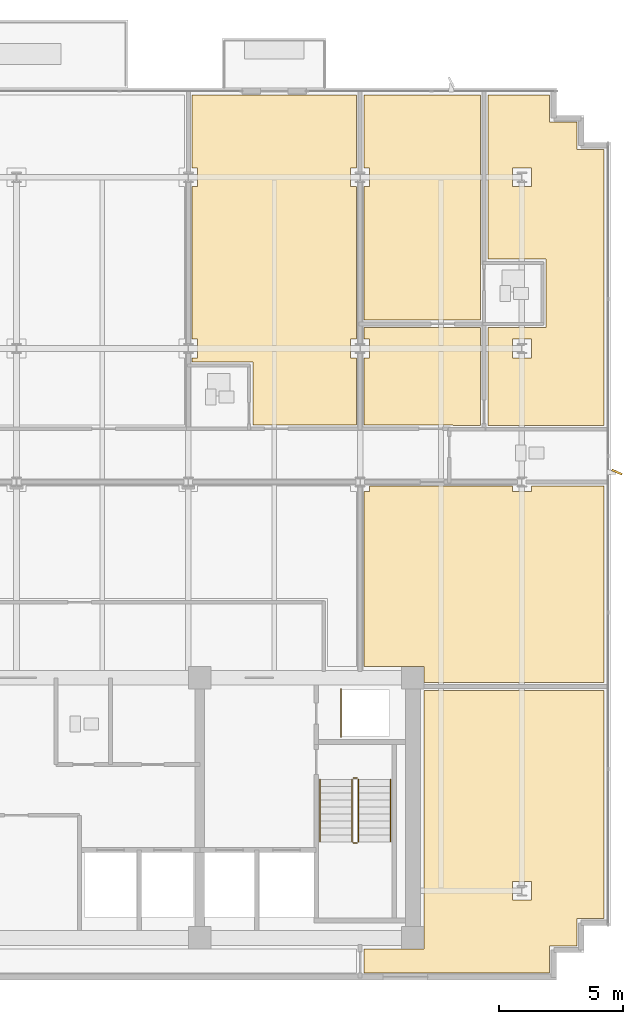
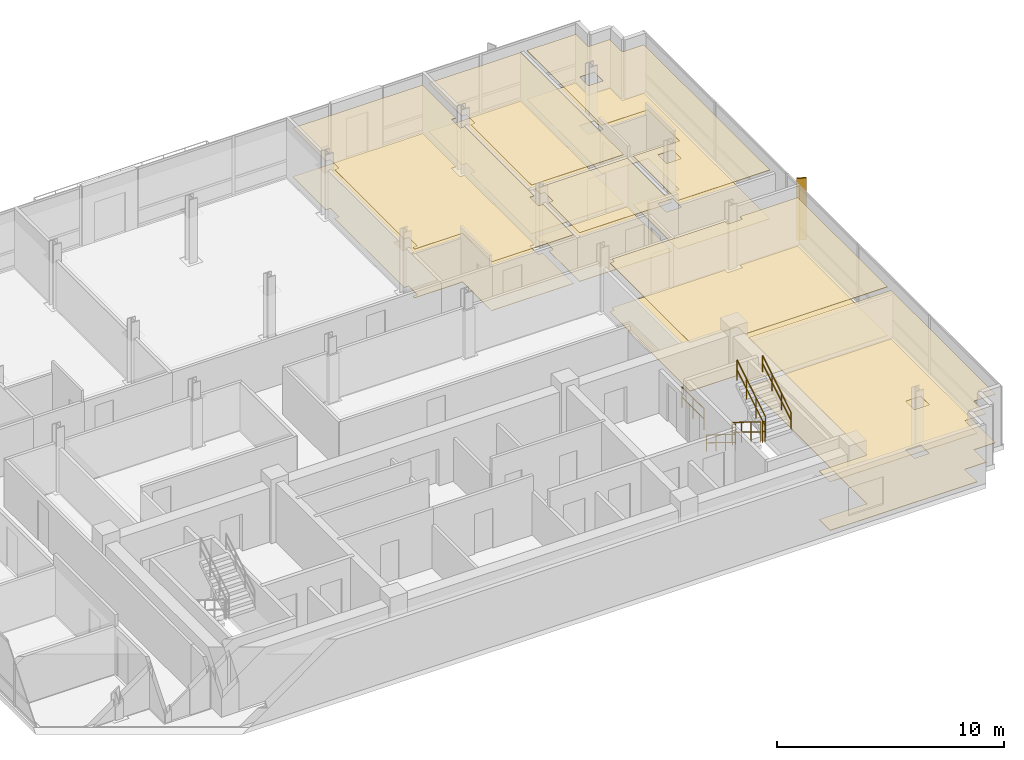
# One storey, part 17 of 19: 12 coverings, 7 railings, 1 shading device.
"""IFC4 building model written with IfcOpenShell, lengths in metres."""

from ifc_helpers import new_model, si_unit, direction, frame, origin, origin_2d, place, context, subcontext, project, spatial, polyline, rectangle, circle, outline, extrude, material, layer, layer_set, type_object, element, save


model = new_model("IFC4")

# Units and contexts
model_context = context("Model", 3, precision=1e-05, world=origin(), true_north=direction((0.0, 1.0)))
body_context = subcontext(model_context, "Body", "Model", "MODEL_VIEW")
ifc_project = project(units=[si_unit("LENGTHUNIT", "METRE"), si_unit("AREAUNIT", "SQUARE_METRE"), si_unit("VOLUMEUNIT", "CUBIC_METRE"), si_unit("PLANEANGLEUNIT", "RADIAN"), si_unit("MASSUNIT", "GRAM", prefix="KILO")], contexts=[model_context])

# Site, building, storey
site_placement = place(None, origin())
site = spatial("IfcSite", under=ifc_project, at=site_placement, CompositionType="ELEMENT")
building_placement = place(site_placement, origin())
building = spatial("IfcBuilding", under=site, at=building_placement, Name="Solmavex Isthmus Hotel", CompositionType="ELEMENT")
storey_placement = place(building_placement, frame((0.0, 0.0, 262.64990234375)))
storey = spatial("IfcBuildingStorey", under=building, at=storey_placement, Name="L71", CompositionType="ELEMENT", Elevation=262.64990234375)

# Coverings
ifc_material_1 = material(Name="Gypsum plasterboard lining", Category="gypsum")
ifc_layer_1 = layer(ifc_material_1, 0.030029296875)
ifc_layer_set_1 = layer_set([ifc_layer_1], Name="Gypsum plasterboard lining")
covering_type_1 = type_object("IfcCoveringType", Name="COV-CEIL-GYP", PredefinedType="CEILING", material=ifc_layer_set_1)
covering_1_placement = place(storey_placement, frame((0.0, 0.0, 2.6201171875)))
element("IfcCovering", 1, at=covering_1_placement, inside=storey, type_object=covering_type_1, Name="Suspended Acoustic Ceiling L71-RM04", PredefinedType="CEILING", context=body_context, shape_type="SweptSolid", body=[
    extrude(outline(polyline([(7.091064453125, 11.16796875), (7.31591796875, 11.16796875), (7.31591796875, 10.407958984375), (7.091064453125, 10.407958984375), (7.091064453125, 10.2548828125), (9.541015625, 10.2548828125), (9.541015625, 7.705078125), (13.717041015625, 7.705078125), (13.717041015625, 10.407958984375), (13.491943359375, 10.407958984375), (13.491943359375, 11.16796875), (13.717041015625, 11.16796875), (13.717041015625, 17.320068359375), (13.491943359375, 17.320068359375), (13.491943359375, 18.080078125), (13.717041015625, 18.080078125), (13.717041015625, 21.02490234375), (7.091064453125, 21.02490234375), (7.091064453125, 18.080078125), (7.31591796875, 18.080078125), (7.31591796875, 17.320068359375), (7.091064453125, 17.320068359375), (7.091064453125, 11.16796875)])), origin(), (0.0, 0.0, 1.0), 0.030029296875),
])
covering_2_placement = place(storey_placement, frame((0.0, 0.0, 2.6201171875)))
element("IfcCovering", 2, at=covering_2_placement, inside=storey, type_object=covering_type_1, Name="Suspended Acoustic Ceiling L71-SL05-FY", PredefinedType="CEILING", context=body_context, shape_type="SweptSolid", body=[
    extrude(outline(polyline([(14.027099609375, 11.16796875), (14.251953125, 11.16796875), (14.251953125, 10.407958984375), (14.027099609375, 10.407958984375), (14.027099609375, 7.705078125), (17.626953125, 7.705078125), (17.626953125, 7.68505859375), (18.720947265625, 7.68505859375), (18.720947265625, 11.633056640625), (14.027099609375, 11.633056640625), (14.027099609375, 11.16796875)])), origin(), (0.0, 0.0, 1.0), 0.030029296875),
])
covering_3_placement = place(storey_placement, frame((0.0, 0.0, 2.6201171875)))
element("IfcCovering", 3, at=covering_3_placement, inside=storey, type_object=covering_type_1, Name="Suspended Acoustic Ceiling L71-SL05-BD", PredefinedType="CEILING", context=body_context, shape_type="SweptSolid", body=[
    extrude(outline(polyline([(14.027099609375, 18.080078125), (14.251953125, 18.080078125), (14.251953125, 17.320068359375), (14.027099609375, 17.320068359375), (14.027099609375, 11.943115234375), (18.720947265625, 11.943115234375), (18.720947265625, 21.02490234375), (14.027099609375, 21.02490234375), (14.027099609375, 18.080078125)])), origin(), (0.0, 0.0, 1.0), 0.030029296875),
])
covering_4_placement = place(storey_placement, frame((0.0, 0.0, 2.6201171875)))
element("IfcCovering", 4, at=covering_4_placement, inside=storey, type_object=covering_type_1, Name="Suspended Acoustic Ceiling L71-SV05", PredefinedType="CEILING", context=body_context, shape_type="SweptSolid", body=[
    extrude(outline(polyline([(22.625, 19.925048828125), (21.52490234375, 19.925048828125), (21.52490234375, 21.02490234375), (19.031005859375, 21.02490234375), (19.031005859375, 14.39306640625), (21.381103515625, 14.39306640625), (21.381103515625, 11.633056640625), (19.031005859375, 11.633056640625), (19.031005859375, 7.68505859375), (23.72509765625, 7.68505859375), (23.72509765625, 18.824951171875), (22.625, 18.824951171875), (22.625, 19.925048828125)]), holes=[polyline([(20.02001953125, 10.407958984375), (20.02001953125, 11.16796875), (20.780029296875, 11.16796875), (20.780029296875, 10.407958984375), (20.02001953125, 10.407958984375)]), polyline([(20.02001953125, 17.320068359375), (20.02001953125, 18.080078125), (20.780029296875, 18.080078125), (20.780029296875, 17.320068359375), (20.02001953125, 17.320068359375)])]), origin(), (0.0, 0.0, 1.0), 0.030029296875),
])
covering_5_placement = place(storey_placement, frame((0.0, 0.0, 2.6201171875)))
element("IfcCovering", 5, at=covering_5_placement, inside=storey, type_object=covering_type_1, Name="Suspended Acoustic Ceiling L71-FL14", PredefinedType="CEILING", context=body_context, shape_type="SweptSolid", body=[
    extrude(outline(polyline([(14.251953125, 5.2451171875), (14.251953125, 5.02001953125), (14.027099609375, 5.02001953125), (14.027099609375, -2.044921875), (16.455078125, -2.044921875), (16.455078125, -2.695068359375), (23.72509765625, -2.695068359375), (23.72509765625, 5.2451171875), (20.780029296875, 5.2451171875), (20.780029296875, 5.02001953125), (20.02001953125, 5.02001953125), (20.02001953125, 5.2451171875), (14.251953125, 5.2451171875)])), origin(), (0.0, 0.0, 1.0), 0.030029296875),
])
covering_6_placement = place(storey_placement, frame((0.0, 0.0, 2.6201171875)))
element("IfcCovering", 6, at=covering_6_placement, inside=storey, type_object=covering_type_1, Name="Suspended Acoustic Ceiling L71-FL16", PredefinedType="CEILING", context=body_context, shape_type="SweptSolid", body=[
    extrude(outline(polyline([(16.455078125, -3.0048828125), (16.455078125, -13.455078125), (14.027099609375, -13.455078125), (14.027099609375, -14.425048828125), (21.52490234375, -14.425048828125), (21.52490234375, -13.324951171875), (22.625, -13.324951171875), (22.625, -12.22509765625), (23.72509765625, -12.22509765625), (23.72509765625, -3.0048828125), (16.455078125, -3.0048828125)]), holes=[polyline([(20.02001953125, -11.47998046875), (20.02001953125, -10.719970703125), (20.780029296875, -10.719970703125), (20.780029296875, -11.47998046875), (20.02001953125, -11.47998046875)])]), origin(), (0.0, 0.0, 1.0), 0.030029296875),
])
ifc_material_2 = material(Name="Travertine natural stone", Category="masonry")
ifc_layer_2 = layer(ifc_material_2, 0.02490234375)
ifc_layer_set_2 = layer_set([ifc_layer_2], Name="Travertine natural stone")
covering_type_2 = type_object("IfcCoveringType", Name="COV-FLOR-STN", PredefinedType="FLOORING", material=ifc_layer_set_2)
covering_7_placement = place(storey_placement, origin())
element("IfcCovering", 7, at=covering_7_placement, inside=storey, type_object=covering_type_2, Name="Stone and Timber Floor Finish L71-RM04", PredefinedType="FLOORING", context=body_context, shape_type="SweptSolid", body=[
    extrude(outline(polyline([(7.091064453125, 11.16796875), (7.31591796875, 11.16796875), (7.31591796875, 10.407958984375), (7.091064453125, 10.407958984375), (7.091064453125, 10.2548828125), (9.541015625, 10.2548828125), (9.541015625, 7.705078125), (13.717041015625, 7.705078125), (13.717041015625, 10.407958984375), (13.491943359375, 10.407958984375), (13.491943359375, 11.16796875), (13.717041015625, 11.16796875), (13.717041015625, 17.320068359375), (13.491943359375, 17.320068359375), (13.491943359375, 18.080078125), (13.717041015625, 18.080078125), (13.717041015625, 21.02490234375), (7.091064453125, 21.02490234375), (7.091064453125, 18.080078125), (7.31591796875, 18.080078125), (7.31591796875, 17.320068359375), (7.091064453125, 17.320068359375), (7.091064453125, 11.16796875)])), origin(), (0.0, 0.0, 1.0), 0.025146484375),
])
covering_8_placement = place(storey_placement, origin())
element("IfcCovering", 8, at=covering_8_placement, inside=storey, type_object=covering_type_2, Name="Stone and Timber Floor Finish L71-SL05-FY", PredefinedType="FLOORING", context=body_context, shape_type="SweptSolid", body=[
    extrude(outline(polyline([(14.027099609375, 11.16796875), (14.251953125, 11.16796875), (14.251953125, 10.407958984375), (14.027099609375, 10.407958984375), (14.027099609375, 7.705078125), (17.626953125, 7.705078125), (17.626953125, 7.68505859375), (18.720947265625, 7.68505859375), (18.720947265625, 11.633056640625), (14.027099609375, 11.633056640625), (14.027099609375, 11.16796875)])), origin(), (0.0, 0.0, 1.0), 0.025146484375),
])
covering_9_placement = place(storey_placement, origin())
element("IfcCovering", 9, at=covering_9_placement, inside=storey, type_object=covering_type_2, Name="Stone and Timber Floor Finish L71-SL05-BD", PredefinedType="FLOORING", context=body_context, shape_type="SweptSolid", body=[
    extrude(outline(polyline([(14.027099609375, 18.080078125), (14.251953125, 18.080078125), (14.251953125, 17.320068359375), (14.027099609375, 17.320068359375), (14.027099609375, 11.943115234375), (18.720947265625, 11.943115234375), (18.720947265625, 21.02490234375), (14.027099609375, 21.02490234375), (14.027099609375, 18.080078125)])), origin(), (0.0, 0.0, 1.0), 0.025146484375),
])
covering_10_placement = place(storey_placement, origin())
element("IfcCovering", 10, at=covering_10_placement, inside=storey, type_object=covering_type_2, Name="Stone and Timber Floor Finish L71-SV05", PredefinedType="FLOORING", context=body_context, shape_type="SweptSolid", body=[
    extrude(outline(polyline([(22.625, 19.925048828125), (21.52490234375, 19.925048828125), (21.52490234375, 21.02490234375), (19.031005859375, 21.02490234375), (19.031005859375, 14.39306640625), (21.381103515625, 14.39306640625), (21.381103515625, 11.633056640625), (19.031005859375, 11.633056640625), (19.031005859375, 7.68505859375), (23.72509765625, 7.68505859375), (23.72509765625, 18.824951171875), (22.625, 18.824951171875), (22.625, 19.925048828125)]), holes=[polyline([(20.02001953125, 10.407958984375), (20.02001953125, 11.16796875), (20.780029296875, 11.16796875), (20.780029296875, 10.407958984375), (20.02001953125, 10.407958984375)]), polyline([(20.02001953125, 17.320068359375), (20.02001953125, 18.080078125), (20.780029296875, 18.080078125), (20.780029296875, 17.320068359375), (20.02001953125, 17.320068359375)])]), origin(), (0.0, 0.0, 1.0), 0.025146484375),
])
covering_11_placement = place(storey_placement, origin())
element("IfcCovering", 11, at=covering_11_placement, inside=storey, type_object=covering_type_2, Name="Stone and Timber Floor Finish L71-FL14", PredefinedType="FLOORING", context=body_context, shape_type="SweptSolid", body=[
    extrude(outline(polyline([(14.251953125, 5.2451171875), (14.251953125, 5.02001953125), (14.027099609375, 5.02001953125), (14.027099609375, -2.044921875), (16.455078125, -2.044921875), (16.455078125, -2.695068359375), (23.72509765625, -2.695068359375), (23.72509765625, 5.2451171875), (20.780029296875, 5.2451171875), (20.780029296875, 5.02001953125), (20.02001953125, 5.02001953125), (20.02001953125, 5.2451171875), (14.251953125, 5.2451171875)])), origin(), (0.0, 0.0, 1.0), 0.025146484375),
])
covering_12_placement = place(storey_placement, origin())
element("IfcCovering", 12, at=covering_12_placement, inside=storey, type_object=covering_type_2, Name="Stone and Timber Floor Finish L71-FL16", PredefinedType="FLOORING", context=body_context, shape_type="SweptSolid", body=[
    extrude(outline(polyline([(16.455078125, -3.0048828125), (16.455078125, -13.455078125), (14.027099609375, -13.455078125), (14.027099609375, -14.425048828125), (21.52490234375, -14.425048828125), (21.52490234375, -13.324951171875), (22.625, -13.324951171875), (22.625, -12.22509765625), (23.72509765625, -12.22509765625), (23.72509765625, -3.0048828125), (16.455078125, -3.0048828125)]), holes=[polyline([(20.02001953125, -11.47998046875), (20.02001953125, -10.719970703125), (20.780029296875, -10.719970703125), (20.780029296875, -11.47998046875), (20.02001953125, -11.47998046875)])]), origin(), (0.0, 0.0, 1.0), 0.025146484375),
])

# Railings
ifc_material_3 = material(Name="Clear low-E laminated glass", Category="glass")
ifc_layer_3 = layer(ifc_material_3, 0.080078125)
ifc_layer_set_3 = layer_set([ifc_layer_3], Name="Clear low-E laminated glass")
railing_type_1 = type_object("IfcRailingType", Name="RAIL-ATRIUM-1120", PredefinedType="BALUSTRADE", material=ifc_layer_set_3)
railing_1_placement = place(storey_placement, frame((13.10009765625, -4.89990234375, 0.0)))
element("IfcRailing", 13, at=railing_1_placement, inside=storey, type_object=railing_type_1, Name="Guardrail Balustrade L71-RSE-01", PredefinedType="BALUSTRADE", context=body_context, shape_type="SweptSolid", body=[
    extrude(circle(Radius=0.02392578125, at=origin_2d()), frame((0.0, 0.0, 1.1259765625), z_axis=(0.0, 1.0, 0.0), x_axis=(-1.0, 0.0, 0.0)), (0.0, 0.0, 1.0), 1.949951171875),
    extrude(circle(Radius=0.02392578125, at=origin_2d()), frame((0.0, 0.0, 0.574951171875), z_axis=(0.0, 1.0, 0.0), x_axis=(-1.0, 0.0, 0.0)), (0.0, 0.0, 1.0), 1.949951171875),
    extrude(circle(Radius=0.02099609375, at=origin_2d()), origin(), (0.0, 0.0, 1.0), 1.101806640625),
    extrude(circle(Radius=0.02099609375, at=origin_2d()), frame((0.0, 0.97509765625, 0.0)), (0.0, 0.0, 1.0), 1.101806640625),
    extrude(circle(Radius=0.02099609375, at=origin_2d()), frame((0.0, 1.949951171875, 0.0)), (0.0, 0.0, 1.0), 1.101806640625),
])
ifc_material_4 = material(Name="Stainless steel 316", Category="steel")
ifc_layer_4 = layer(ifc_material_4, 0.06005859375)
ifc_layer_set_4 = layer_set([ifc_layer_4], Name="Stainless steel 316")
railing_type_2 = type_object("IfcRailingType", Name="RAIL-STAIR-GD", PredefinedType="GUARDRAIL", material=ifc_layer_set_4)
railing_2_placement = place(storey_placement, frame((13.550048828125, -6.60009765625, 0.172607421875)))
element("IfcRailing", 14, at=railing_2_placement, inside=storey, type_object=railing_type_2, Name="L71 ST-2 stair guard 1", PredefinedType="GUARDRAIL", context=body_context, shape_type="SweptSolid", body=[
    extrude(circle(Radius=0.02392578125, at=origin_2d()), frame((0.0, 0.0, 1.09619140625), z_axis=(0.0, -0.851400495292, 0.524516154772), x_axis=(1.0, 0.0, 0.0)), (0.0, 0.0, 1.0), 2.9599609375),
    extrude(circle(Radius=0.02392578125, at=origin_2d()), frame((0.0, 0.0, 0.56005859375), z_axis=(0.0, -0.851400495292, 0.524516154772), x_axis=(1.0, 0.0, 0.0)), (0.0, 0.0, 1.0), 2.9599609375),
    extrude(circle(Radius=0.02099609375, at=origin_2d()), origin(), (0.0, 0.0, 1.0), 1.072021484375),
    extrude(circle(Radius=0.02099609375, at=origin_2d()), frame((0.0, -0.840087890625, 0.517578125)), (0.0, 0.0, 1.0), 1.072021484375),
    extrude(circle(Radius=0.02099609375, at=origin_2d()), frame((0.0, -1.679931640625, 1.034912109375)), (0.0, 0.0, 1.0), 1.072021484375),
    extrude(circle(Radius=0.02099609375, at=origin_2d()), frame((0.0, -2.52001953125, 1.552490234375)), (0.0, 0.0, 1.0), 1.072021484375),
])
railing_3_placement = place(storey_placement, frame((13.60009765625, -9.169921875, 1.72509765625)))
element("IfcRailing", 15, at=railing_3_placement, inside=storey, type_object=railing_type_2, Name="L71 ST-2 stair guard 2", PredefinedType="GUARDRAIL", context=body_context, shape_type="SweptSolid", body=[
    extrude(circle(Radius=0.02392578125, at=origin_2d()), frame((0.0, 0.0, 1.09619140625), z_axis=(1.0, 0.0, 0.0), x_axis=(0.0, 1.0, 0.0)), (0.0, 0.0, 1.0), 0.14990234375),
    extrude(circle(Radius=0.02392578125, at=origin_2d()), frame((0.0, 0.0, 0.56005859375), z_axis=(1.0, 0.0, 0.0), x_axis=(0.0, 1.0, 0.0)), (0.0, 0.0, 1.0), 0.14990234375),
    extrude(circle(Radius=0.02099609375, at=origin_2d()), origin(), (0.0, 0.0, 1.0), 1.072021484375),
    extrude(circle(Radius=0.02099609375, at=origin_2d()), frame((0.14990234375, 0.0, 0.0)), (0.0, 0.0, 1.0), 1.072021484375),
])
railing_4_placement = place(storey_placement, frame((13.800048828125, -9.1201171875, 1.897705078125)))
element("IfcRailing", 16, at=railing_4_placement, inside=storey, type_object=railing_type_2, Name="L71 ST-2 stair guard 3", PredefinedType="GUARDRAIL", context=body_context, shape_type="SweptSolid", body=[
    extrude(circle(Radius=0.02392578125, at=origin_2d()), frame((0.0, 0.0, 1.09619140625), z_axis=(0.0, 0.851400495292, 0.524516154772), x_axis=(-1.0, 0.0, 0.0)), (0.0, 0.0, 1.0), 2.9599609375),
    extrude(circle(Radius=0.02392578125, at=origin_2d()), frame((0.0, 0.0, 0.56005859375), z_axis=(0.0, 0.851400495292, 0.524516154772), x_axis=(-1.0, 0.0, 0.0)), (0.0, 0.0, 1.0), 2.9599609375),
    extrude(circle(Radius=0.02099609375, at=origin_2d()), origin(), (0.0, 0.0, 1.0), 1.072021484375),
    extrude(circle(Radius=0.02099609375, at=origin_2d()), frame((0.0, 0.840087890625, 0.517578125)), (0.0, 0.0, 1.0), 1.072021484375),
    extrude(circle(Radius=0.02099609375, at=origin_2d()), frame((0.0, 1.679931640625, 1.034912109375)), (0.0, 0.0, 1.0), 1.072021484375),
    extrude(circle(Radius=0.02099609375, at=origin_2d()), frame((0.0, 2.52001953125, 1.552490234375)), (0.0, 0.0, 1.0), 1.072021484375),
])
railing_5_placement = place(storey_placement, frame((13.60009765625, -6.550048828125, 0.0)))
element("IfcRailing", 17, at=railing_5_placement, inside=storey, type_object=railing_type_2, Name="L71 ST-2 stair guard 4", PredefinedType="GUARDRAIL", context=body_context, shape_type="SweptSolid", body=[
    extrude(circle(Radius=0.02392578125, at=origin_2d()), frame((0.0, 0.0, 1.09619140625), z_axis=(1.0, 0.0, 0.0), x_axis=(0.0, 1.0, 0.0)), (0.0, 0.0, 1.0), 0.14990234375),
    extrude(circle(Radius=0.02392578125, at=origin_2d()), frame((0.0, 0.0, 0.56005859375), z_axis=(1.0, 0.0, 0.0), x_axis=(0.0, 1.0, 0.0)), (0.0, 0.0, 1.0), 0.14990234375),
    extrude(circle(Radius=0.02099609375, at=origin_2d()), origin(), (0.0, 0.0, 1.0), 1.072021484375),
    extrude(circle(Radius=0.02099609375, at=origin_2d()), frame((0.14990234375, 0.0, 0.0)), (0.0, 0.0, 1.0), 1.072021484375),
])
ifc_layer_5 = layer(ifc_material_4, 0.050048828125)
ifc_layer_set_5 = layer_set([ifc_layer_5], Name="Stainless steel 316")
railing_type_3 = type_object("IfcRailingType", Name="RAIL-STAIR-HR", PredefinedType="HANDRAIL", material=ifc_layer_set_5)
railing_6_placement = place(storey_placement, frame((12.25, -6.60009765625, 0.172607421875)))
element("IfcRailing", 18, at=railing_6_placement, inside=storey, type_object=railing_type_3, Name="L71 ST-2 stair handrail 1", PredefinedType="HANDRAIL", context=body_context, shape_type="SweptSolid", body=[
    extrude(circle(Radius=0.02392578125, at=origin_2d()), frame((0.0, 0.0, 0.8759765625), z_axis=(0.0, -0.851400495292, 0.524516154772), x_axis=(1.0, 0.0, 0.0)), (0.0, 0.0, 1.0), 2.9599609375),
    extrude(circle(Radius=0.02392578125, at=origin_2d()), frame((0.0, 0.0, 0.449951171875), z_axis=(0.0, -0.851400495292, 0.524516154772), x_axis=(1.0, 0.0, 0.0)), (0.0, 0.0, 1.0), 2.9599609375),
    extrude(circle(Radius=0.02099609375, at=origin_2d()), origin(), (0.0, 0.0, 1.0), 0.851806640625),
    extrude(circle(Radius=0.02099609375, at=origin_2d()), frame((0.0, -0.840087890625, 0.517578125)), (0.0, 0.0, 1.0), 0.851806640625),
    extrude(circle(Radius=0.02099609375, at=origin_2d()), frame((0.0, -1.679931640625, 1.034912109375)), (0.0, 0.0, 1.0), 0.851806640625),
    extrude(circle(Radius=0.02099609375, at=origin_2d()), frame((0.0, -2.52001953125, 1.552490234375)), (0.0, 0.0, 1.0), 0.851806640625),
])
railing_7_placement = place(storey_placement, frame((15.10009765625, -9.1201171875, 1.897705078125)))
element("IfcRailing", 19, at=railing_7_placement, inside=storey, type_object=railing_type_3, Name="L71 ST-2 stair handrail 2", PredefinedType="HANDRAIL", context=body_context, shape_type="SweptSolid", body=[
    extrude(circle(Radius=0.02392578125, at=origin_2d()), frame((0.0, 0.0, 0.8759765625), z_axis=(0.0, 0.851400495292, 0.524516154772), x_axis=(-1.0, 0.0, 0.0)), (0.0, 0.0, 1.0), 2.9599609375),
    extrude(circle(Radius=0.02392578125, at=origin_2d()), frame((0.0, 0.0, 0.449951171875), z_axis=(0.0, 0.851400495292, 0.524516154772), x_axis=(-1.0, 0.0, 0.0)), (0.0, 0.0, 1.0), 2.9599609375),
    extrude(circle(Radius=0.02099609375, at=origin_2d()), origin(), (0.0, 0.0, 1.0), 0.851806640625),
    extrude(circle(Radius=0.02099609375, at=origin_2d()), frame((0.0, 0.840087890625, 0.517578125)), (0.0, 0.0, 1.0), 0.851806640625),
    extrude(circle(Radius=0.02099609375, at=origin_2d()), frame((0.0, 1.679931640625, 1.034912109375)), (0.0, 0.0, 1.0), 0.851806640625),
    extrude(circle(Radius=0.02099609375, at=origin_2d()), frame((0.0, 2.52001953125, 1.552490234375)), (0.0, 0.0, 1.0), 0.851806640625),
])

# Shading device
ifc_material_5 = material(Name="Aluminium alloy 6063-T6", Category="aluminium")
shading_device_type = type_object("IfcShadingDeviceType", Name="SHD-FIN-BRONZE", PredefinedType="USERDEFINED", material=ifc_material_5)
shading_device_placement = place(storey_placement, frame((24.239990234375, 5.800048828125, -0.139892578125), z_axis=(0.0, 0.0, 1.0), x_axis=(0.913545457643, -0.406736643076, 0.0)))
element("IfcShadingDevice", 20, at=shading_device_placement, inside=storey, type_object=shading_device_type, Name="Anodised Aluminium Solar Fin L71-E1", ObjectType="SOLAR_FIN", PredefinedType="USERDEFINED", context=body_context, shape_type="SweptSolid", body=[
    extrude(rectangle(XDim=0.449951171875, YDim=0.080078125, at=origin_2d()), origin(), (0.0, 0.0, 1.0), 3.330078125),
])

save(model, "model.ifc")
